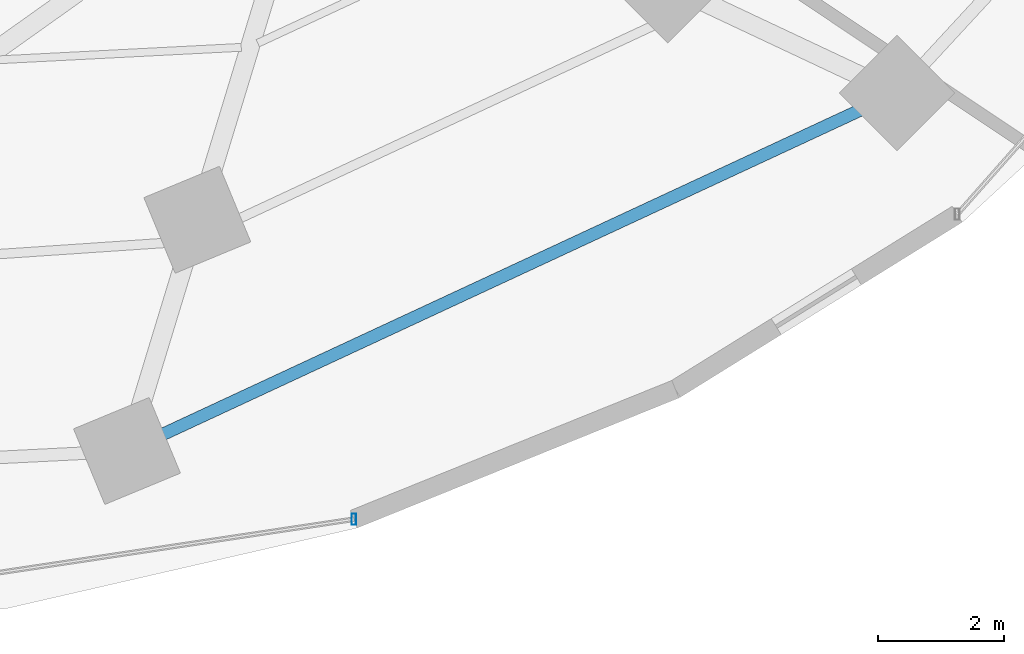
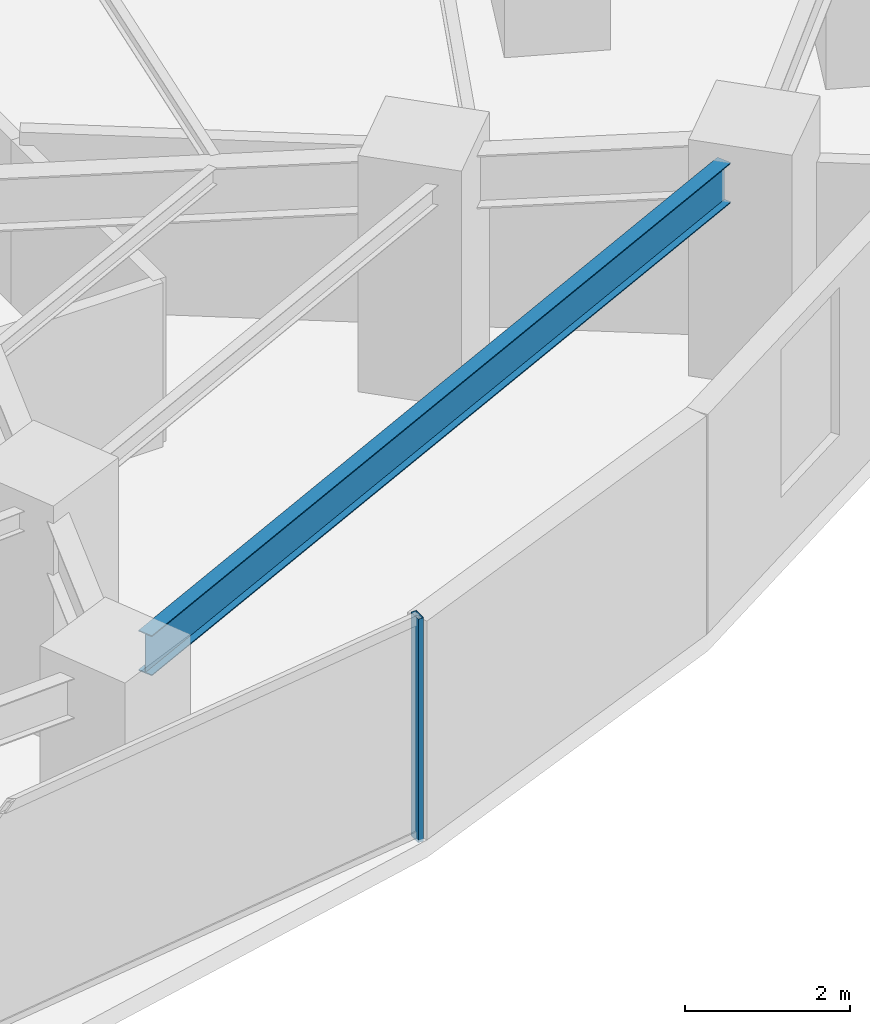
# One storey, part 9 of 30: 1 beam, 1 member, 1 element without a shape of its own.
"""IFC4 building model written with IfcOpenShell, lengths in metres."""

from ifc_helpers import new_model, si_unit, direction, frame, origin, origin_2d, place, context, subcontext, project, spatial, hollow_rectangle, i_section, extrude, material, material_profile, profile_set, type_object, element, aggregate, save


model = new_model("IFC4")

# Units and contexts
model_context = context("Model", 3, precision=1e-05, world=origin(), true_north=direction((0.0, 1.0)))
body_context = subcontext(model_context, "Body", "Model", "MODEL_VIEW")
ifc_project = project(units=[si_unit("LENGTHUNIT", "METRE"), si_unit("AREAUNIT", "SQUARE_METRE"), si_unit("VOLUMEUNIT", "CUBIC_METRE"), si_unit("PLANEANGLEUNIT", "RADIAN"), si_unit("MASSUNIT", "GRAM", prefix="KILO")], contexts=[model_context])

# Site, building, storey
site_placement = place(None, origin())
site = spatial("IfcSite", under=ifc_project, at=site_placement, CompositionType="ELEMENT")
building_placement = place(site_placement, origin())
building = spatial("IfcBuilding", under=site, at=building_placement, Name="Vorneva Point Tower", CompositionType="ELEMENT")
storey_placement = place(building_placement, frame((0.0, 0.0, 41.5)))
storey = spatial("IfcBuildingStorey", under=building, at=storey_placement, Name="L10", CompositionType="ELEMENT", Elevation=41.5)

# Beam
ifc_material_1 = material(Name="Steel S355", Category="steel")
ifc_material_profile_1 = material_profile(ifc_material_1, i_section(OverallWidth=0.198974609375, OverallDepth=0.595947265625, WebThickness=0.010009765625, FlangeThickness=0.014892578125, at=origin_2d()), Name="60B1")
ifc_profile_set_1 = profile_set([ifc_material_profile_1], Name="Steel S355")
beam_type = type_object("IfcBeamType", Name="BM-SPN-60B1", PredefinedType="SPANDREL", material=ifc_profile_set_1)
beam_placement = place(storey_placement, frame((46.27880859375, 6.702880859375, 2.94189453125), z_axis=(0.906776698196, 0.421611218551, 0.0), x_axis=(-0.421611218551, 0.906776698196, 0.0)))
element("IfcBeam", 1, at=beam_placement, inside=storey, type_object=beam_type, Name="L10 Perimeter Spandrel Ring Beam 14", PredefinedType="SPANDREL", context=body_context, shape_type="SweptSolid", body=[
    extrude(i_section(OverallWidth=0.198974609375, OverallDepth=0.595947265625, WebThickness=0.010009765625, FlangeThickness=0.014892578125, at=origin_2d()), origin(), (0.0, 0.0, 1.0), 12.223388671875),
])

# Curtain wall, member
ifc_material_2 = material(Name="Pale anodised aluminium", Category="aluminium")
curtain_wall_type = type_object("IfcCurtainWallType", Name="CW-HTL-SYS", PredefinedType="NOTDEFINED", material=ifc_material_2)
curtain_wall_placement = place(storey_placement, origin())
curtain_wall = element("IfcCurtainWall", 2, at=curtain_wall_placement, inside=storey, type_object=curtain_wall_type, Name="L10 Unitised Curtain Wall CW-L10-R04", PredefinedType="NOTDEFINED")
ifc_material_profile_2 = material_profile(ifc_material_2, hollow_rectangle(XDim=0.074951171875, YDim=0.179931640625, WallThickness=0.00390625, at=origin_2d()), Name="AL-MUL 180x75x4")
ifc_profile_set_2 = profile_set([ifc_material_profile_2], Name="Pale anodised aluminium")
member_type = type_object("IfcMemberType", Name="CW-MUL-180", PredefinedType="MULLION", material=ifc_profile_set_2)
member_placement = place(storey_placement, frame((49.308349609375, 5.351318359375, -0.0400390625), z_axis=(0.0, 0.0, 1.0), x_axis=(1.0, 0.0, 0.0)))
member = element("IfcMember", 3, at=member_placement, type_object=member_type, Name="CW-L10-R04 Mullion 04", PredefinedType="MULLION", context=body_context, shape_type="SweptSolid", body=[
    extrude(hollow_rectangle(XDim=0.074951171875, YDim=0.179931640625, WallThickness=0.00390625, at=origin_2d()), origin(), (0.0, 0.0, 1.0), 3.31005859375),
])
aggregate(curtain_wall, [member])

save(model, "model.ifc")
